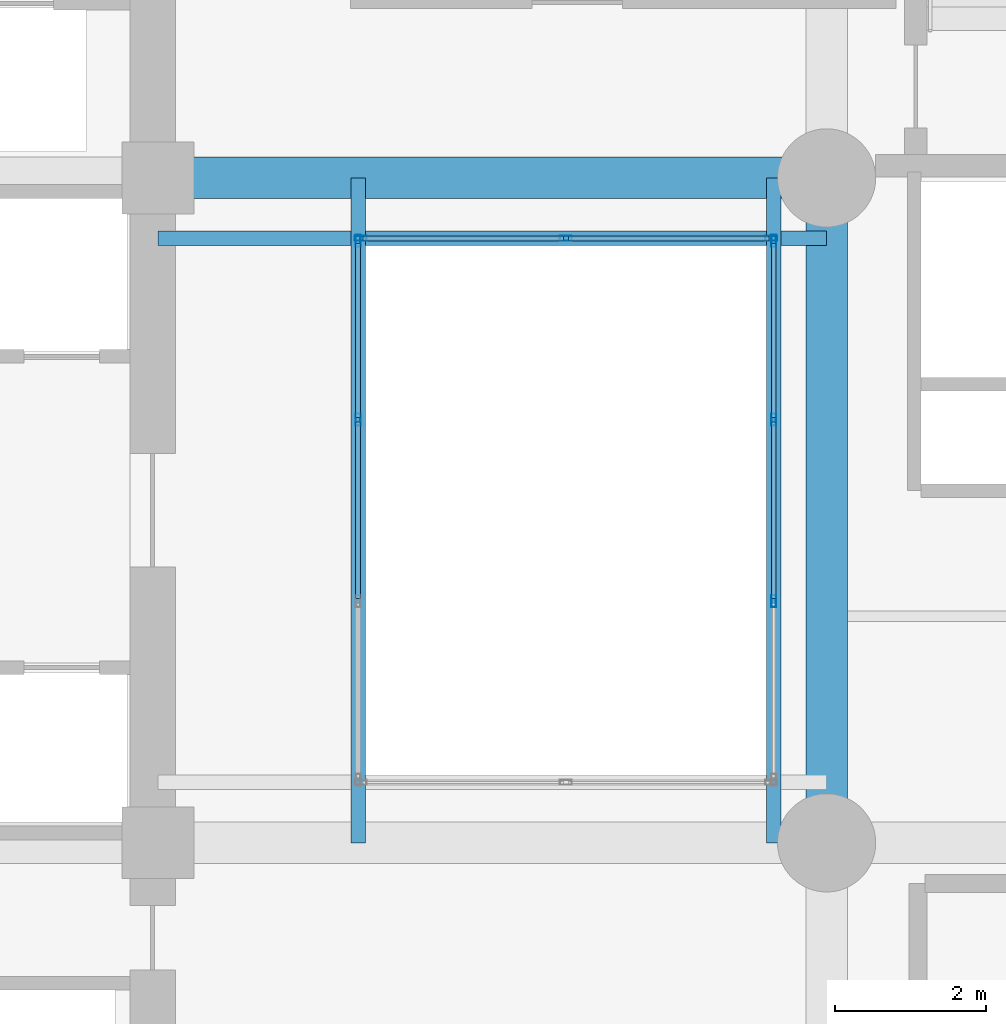
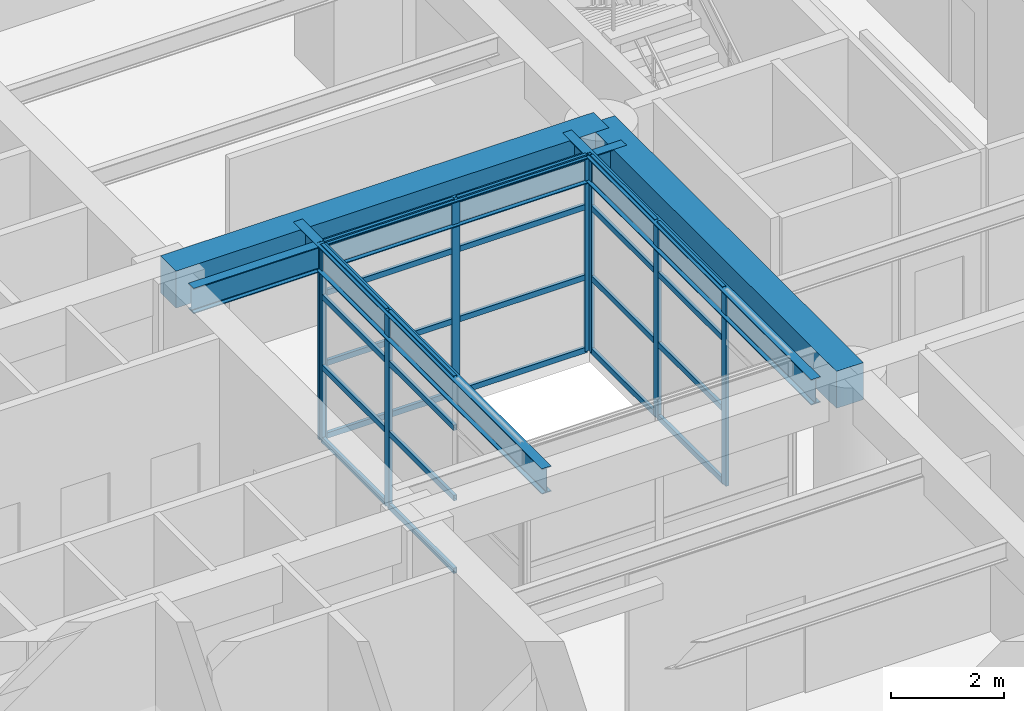
# One storey, part 4 of 10: 32 members, 5 beams, 3 elements without a shape of their own.
"""IFC4 building model written with IfcOpenShell, lengths in metres."""

from ifc_helpers import new_model, si_unit, direction, frame, origin, origin_2d, place, context, subcontext, project, spatial, rectangle, hollow_rectangle, i_section, extrude, material, layer, layer_set, material_profile, profile_set, type_object, element, aggregate, save


model = new_model("IFC4")

# Units and contexts
model_context = context("Model", 3, precision=1e-05, world=origin(), true_north=direction((0.0, 1.0)))
body_context = subcontext(model_context, "Body", "Model", "MODEL_VIEW")
ifc_project = project(units=[si_unit("LENGTHUNIT", "METRE"), si_unit("AREAUNIT", "SQUARE_METRE"), si_unit("VOLUMEUNIT", "CUBIC_METRE"), si_unit("PLANEANGLEUNIT", "RADIAN"), si_unit("MASSUNIT", "GRAM", prefix="KILO")], contexts=[model_context])

# Site, building, storey
site_placement = place(None, origin())
site = spatial("IfcSite", under=ifc_project, at=site_placement, CompositionType="ELEMENT")
building_placement = place(site_placement, origin())
building = spatial("IfcBuilding", under=site, at=building_placement, Name="Kundavana Baori Tower", CompositionType="ELEMENT")
storey_placement = place(building_placement, frame((0.0, 0.0, 8.0)))
storey = spatial("IfcBuildingStorey", under=building, at=storey_placement, Name="L01", CompositionType="ELEMENT", Elevation=8.0)

# Beams
ifc_material_1 = material(Name="Concrete C50/60", Category="concrete")
ifc_material_profile_1 = material_profile(ifc_material_1, rectangle(XDim=0.550048828125, YDim=0.800048828125, at=origin_2d()), Name="RC BM 550x800")
ifc_profile_set_1 = profile_set([ifc_material_profile_1], Name="Concrete C50/60")
beam_type_1 = type_object("IfcBeamType", Name="BM-RC-800", PredefinedType="BEAM", material=ifc_profile_set_1)
beam_1_placement = place(storey_placement, frame((24.949951171875, 33.0, 3.820068359375), z_axis=(1.0, 0.0, 0.0), x_axis=(0.0, 1.0, 0.0)))
element("IfcBeam", 1, at=beam_1_placement, inside=storey, type_object=beam_type_1, Name="L01 Primary Grid Girder GX-3-2", PredefinedType="BEAM", context=body_context, shape_type="SweptSolid", body=[
    extrude(rectangle(XDim=0.550048828125, YDim=0.800048828125, at=origin_2d()), origin(), (0.0, 0.0, 1.0), 8.85009765625),
])
beam_2_placement = place(storey_placement, frame((33.800048828125, 24.199951171875, 3.820068359375), z_axis=(0.0, 1.0, 0.0), x_axis=(-1.0, 0.0, 0.0)))
element("IfcBeam", 2, at=beam_2_placement, inside=storey, type_object=beam_type_1, Name="L01 Primary Grid Girder GY-3-2", PredefinedType="BEAM", context=body_context, shape_type="SweptSolid", body=[
    extrude(rectangle(XDim=0.550048828125, YDim=0.800048828125, at=origin_2d()), origin(), (0.0, 0.0, 1.0), 8.800048828125),
])
ifc_material_2 = material(Name="Structural Steel S355JR", Category="steel")
ifc_material_profile_2 = material_profile(ifc_material_2, i_section(OverallWidth=0.18994140625, OverallDepth=0.550048828125, WebThickness=0.01123046875, FlangeThickness=0.019287109375, FilletRadius=0.01806640625, at=origin_2d()), Name="ISMB 550")
ifc_profile_set_2 = profile_set([ifc_material_profile_2], Name="Structural Steel S355JR")
beam_type_2 = type_object("IfcBeamType", Name="BM-ST-550", PredefinedType="BEAM", material=ifc_profile_set_2)
for number, where, z_axis, x_axis, name in (
    (3, (27.60009765625, 24.199951171875, 3.945068359375), (0.0, 1.0, 0.0), (-1.0, 0.0, 0.0), "L01 Atrium West Edge Beam"),
    (4, (33.10009765625, 24.199951171875, 3.945068359375), (0.0, 1.0, 0.0), (-1.0, 0.0, 0.0), "L01 Atrium East Edge Beam"),
):
    element("IfcBeam", number, at=place(storey_placement, frame(where, z_axis=z_axis, x_axis=x_axis)), inside=storey, type_object=beam_type_2, Name=name, PredefinedType="BEAM", context=body_context, shape_type="SweptSolid", body=[
        extrude(i_section(OverallWidth=0.18994140625, OverallDepth=0.550048828125, WebThickness=0.01123046875, FlangeThickness=0.019287109375, FilletRadius=0.01806640625, at=origin_2d()), origin(), (0.0, 0.0, 1.0), 8.800048828125),
    ])
beam_3_placement = place(storey_placement, frame((24.949951171875, 32.199951171875, 3.945068359375), z_axis=(1.0, 0.0, 0.0), x_axis=(0.0, 1.0, 0.0)))
element("IfcBeam", 5, at=beam_3_placement, inside=storey, type_object=beam_type_2, Name="L01 Atrium North Edge Beam", PredefinedType="BEAM", context=body_context, shape_type="SweptSolid", body=[
    extrude(i_section(OverallWidth=0.18994140625, OverallDepth=0.550048828125, WebThickness=0.01123046875, FlangeThickness=0.019287109375, FilletRadius=0.01806640625, at=origin_2d()), origin(), (0.0, 0.0, 1.0), 8.85009765625),
])

# Curtain wall, members
ifc_material_3 = material(Name="Thermally Broken Anodised Aluminium Framing", Category="aluminium")
ifc_layer = layer(ifc_material_3, 0.159912109375, Name="CW-SYS-1")
ifc_layer_set = layer_set([ifc_layer], Name="Thermally Broken Anodised Aluminium Framing")
curtain_wall_type = type_object("IfcCurtainWallType", Name="CW-SYS-1", PredefinedType="NOTDEFINED", material=ifc_layer_set)
curtain_wall_1_placement = place(storey_placement, origin())
curtain_wall_1 = element("IfcCurtainWall", 6, at=curtain_wall_1_placement, inside=storey, type_object=curtain_wall_type, Name="L01 Atrium Glazed Curtain Wall E", PredefinedType="NOTDEFINED")
ifc_material_4 = material(Name="Thermally Broken Anodised Aluminium Framing", Category="aluminium")
ifc_material_profile_3 = material_profile(ifc_material_4, hollow_rectangle(XDim=0.06494140625, YDim=0.159912109375, WallThickness=0.00390625, at=origin_2d()), Name="CW-MULL-160")
ifc_profile_set_3 = profile_set([ifc_material_profile_3], Name="Thermally Broken Anodised Aluminium Framing")
member_type_1 = type_object("IfcMemberType", Name="CW-MULL-160", PredefinedType="MULLION", material=ifc_profile_set_3)
member_1_placement = place(storey_placement, frame((33.10009765625, 27.39990234375, 0.0), z_axis=(0.0, 0.0, 1.0), x_axis=(-1.0, 0.0, 0.0)))
member_1 = element("IfcMember", 7, at=member_1_placement, type_object=member_type_1, Name="CW1 mullion 2", PredefinedType="MULLION", context=body_context, shape_type="SweptSolid", body=[
    extrude(hollow_rectangle(XDim=0.06494140625, YDim=0.159912109375, WallThickness=0.00390625, at=origin_2d()), origin(), (0.0, 0.0, 1.0), 4.219970703125),
])
member_2_placement = place(storey_placement, frame((33.10009765625, 29.800048828125, 0.0), z_axis=(0.0, 0.0, 1.0), x_axis=(-1.0, 0.0, 0.0)))
member_2 = element("IfcMember", 8, at=member_2_placement, type_object=member_type_1, Name="CW1 mullion 3", PredefinedType="MULLION", context=body_context, shape_type="SweptSolid", body=[
    extrude(hollow_rectangle(XDim=0.06494140625, YDim=0.159912109375, WallThickness=0.00390625, at=origin_2d()), origin(), (0.0, 0.0, 1.0), 4.219970703125),
])
member_3_placement = place(storey_placement, frame((33.10009765625, 32.16748046875, 0.0), z_axis=(0.0, 0.0, 1.0), x_axis=(-1.0, 0.0, 0.0)))
member_3 = element("IfcMember", 9, at=member_3_placement, type_object=member_type_1, Name="CW1 mullion 4", PredefinedType="MULLION", context=body_context, shape_type="SweptSolid", body=[
    extrude(hollow_rectangle(XDim=0.06494140625, YDim=0.159912109375, WallThickness=0.00390625, at=origin_2d()), origin(), (0.0, 0.0, 1.0), 4.219970703125),
])

curtain_wall_2_placement = place(storey_placement, origin())
curtain_wall_2 = element("IfcCurtainWall", 10, at=curtain_wall_2_placement, inside=storey, type_object=curtain_wall_type, Name="L01 Atrium Glazed Curtain Wall N", PredefinedType="NOTDEFINED")
member_4_placement = place(storey_placement, frame((33.0673828125, 32.199951171875, 0.0), z_axis=(0.0, 0.0, 1.0), x_axis=(0.0, -1.0, 0.0)))
member_4 = element("IfcMember", 11, at=member_4_placement, type_object=member_type_1, Name="CW1 mullion 1", PredefinedType="MULLION", context=body_context, shape_type="SweptSolid", body=[
    extrude(hollow_rectangle(XDim=0.06494140625, YDim=0.159912109375, WallThickness=0.00390625, at=origin_2d()), origin(), (0.0, 0.0, 1.0), 4.219970703125),
])
member_5_placement = place(storey_placement, frame((30.35009765625, 32.199951171875, 0.0), z_axis=(0.0, 0.0, 1.0), x_axis=(0.0, -1.0, 0.0)))
member_5 = element("IfcMember", 12, at=member_5_placement, type_object=member_type_1, Name="CW1 mullion 2", PredefinedType="MULLION", context=body_context, shape_type="SweptSolid", body=[
    extrude(hollow_rectangle(XDim=0.06494140625, YDim=0.159912109375, WallThickness=0.00390625, at=origin_2d()), origin(), (0.0, 0.0, 1.0), 4.219970703125),
])
member_6_placement = place(storey_placement, frame((27.632568359375, 32.199951171875, 0.0), z_axis=(0.0, 0.0, 1.0), x_axis=(0.0, -1.0, 0.0)))
member_6 = element("IfcMember", 13, at=member_6_placement, type_object=member_type_1, Name="CW1 mullion 3", PredefinedType="MULLION", context=body_context, shape_type="SweptSolid", body=[
    extrude(hollow_rectangle(XDim=0.06494140625, YDim=0.159912109375, WallThickness=0.00390625, at=origin_2d()), origin(), (0.0, 0.0, 1.0), 4.219970703125),
])

curtain_wall_3_placement = place(storey_placement, origin())
curtain_wall_3 = element("IfcCurtainWall", 14, at=curtain_wall_3_placement, inside=storey, type_object=curtain_wall_type, Name="L01 Atrium Glazed Curtain Wall W", PredefinedType="NOTDEFINED")
member_7_placement = place(storey_placement, frame((27.60009765625, 32.16748046875, 0.0), z_axis=(0.0, 0.0, 1.0), x_axis=(1.0, 0.0, 0.0)))
member_7 = element("IfcMember", 15, at=member_7_placement, type_object=member_type_1, Name="CW1 mullion 1", PredefinedType="MULLION", context=body_context, shape_type="SweptSolid", body=[
    extrude(hollow_rectangle(XDim=0.06494140625, YDim=0.159912109375, WallThickness=0.00390625, at=origin_2d()), origin(), (0.0, 0.0, 1.0), 4.219970703125),
])
member_8_placement = place(storey_placement, frame((27.60009765625, 29.800048828125, 0.0), z_axis=(0.0, 0.0, 1.0), x_axis=(1.0, 0.0, 0.0)))
member_8 = element("IfcMember", 16, at=member_8_placement, type_object=member_type_1, Name="CW1 mullion 2", PredefinedType="MULLION", context=body_context, shape_type="SweptSolid", body=[
    extrude(hollow_rectangle(XDim=0.06494140625, YDim=0.159912109375, WallThickness=0.00390625, at=origin_2d()), origin(), (0.0, 0.0, 1.0), 4.219970703125),
])

# Member
ifc_material_5 = material(Name="Thermally Broken Anodised Aluminium Framing", Category="aluminium")
ifc_material_profile_4 = material_profile(ifc_material_5, hollow_rectangle(XDim=0.06494140625, YDim=0.1201171875, WallThickness=0.00390625, at=origin_2d()), Name="CW-TRAN-120")
ifc_profile_set_4 = profile_set([ifc_material_profile_4], Name="Thermally Broken Anodised Aluminium Framing")
member_type_2 = type_object("IfcMemberType", Name="CW-TRAN-120", PredefinedType="USERDEFINED", material=ifc_profile_set_4)
member_9_placement = place(storey_placement, frame((33.10009765625, 27.4326171875, 0.032470703125), z_axis=(0.0, 1.0, 0.0), x_axis=(-1.0, 0.0, 0.0)))
member_9 = element("IfcMember", 17, at=member_9_placement, type_object=member_type_2, Name="CW1 transom 2.1", ObjectType="TRANSOM", PredefinedType="USERDEFINED", context=body_context, shape_type="SweptSolid", body=[
    extrude(hollow_rectangle(XDim=0.06494140625, YDim=0.1201171875, WallThickness=0.00390625, at=origin_2d()), origin(), (0.0, 0.0, 1.0), 2.3349609375),
])

member_10_placement = place(storey_placement, frame((33.10009765625, 27.4326171875, 1.603515625), z_axis=(0.0, 1.0, 0.0), x_axis=(-1.0, 0.0, 0.0)))
member_10 = element("IfcMember", 18, at=member_10_placement, type_object=member_type_2, Name="CW1 transom 2.2", ObjectType="TRANSOM", PredefinedType="USERDEFINED", context=body_context, shape_type="SweptSolid", body=[
    extrude(hollow_rectangle(XDim=0.06494140625, YDim=0.1201171875, WallThickness=0.00390625, at=origin_2d()), origin(), (0.0, 0.0, 1.0), 2.3349609375),
])

member_11_placement = place(storey_placement, frame((33.10009765625, 27.4326171875, 3.122802734375), z_axis=(0.0, 1.0, 0.0), x_axis=(-1.0, 0.0, 0.0)))
member_11 = element("IfcMember", 19, at=member_11_placement, type_object=member_type_2, Name="CW1 transom 2.3", ObjectType="TRANSOM", PredefinedType="USERDEFINED", context=body_context, shape_type="SweptSolid", body=[
    extrude(hollow_rectangle(XDim=0.06494140625, YDim=0.1201171875, WallThickness=0.00390625, at=origin_2d()), origin(), (0.0, 0.0, 1.0), 2.3349609375),
])

member_12_placement = place(storey_placement, frame((33.10009765625, 27.4326171875, 4.1875), z_axis=(0.0, 1.0, 0.0), x_axis=(-1.0, 0.0, 0.0)))
member_12 = element("IfcMember", 20, at=member_12_placement, type_object=member_type_2, Name="CW1 transom 2.4", ObjectType="TRANSOM", PredefinedType="USERDEFINED", context=body_context, shape_type="SweptSolid", body=[
    extrude(hollow_rectangle(XDim=0.06494140625, YDim=0.1201171875, WallThickness=0.00390625, at=origin_2d()), origin(), (0.0, 0.0, 1.0), 2.3349609375),
])

member_13_placement = place(storey_placement, frame((33.10009765625, 29.83251953125, 0.032470703125), z_axis=(0.0, 1.0, 0.0), x_axis=(-1.0, 0.0, 0.0)))
member_13 = element("IfcMember", 21, at=member_13_placement, type_object=member_type_2, Name="CW1 transom 3.1", ObjectType="TRANSOM", PredefinedType="USERDEFINED", context=body_context, shape_type="SweptSolid", body=[
    extrude(hollow_rectangle(XDim=0.06494140625, YDim=0.1201171875, WallThickness=0.00390625, at=origin_2d()), origin(), (0.0, 0.0, 1.0), 2.302490234375),
])

member_14_placement = place(storey_placement, frame((33.10009765625, 29.83251953125, 1.603515625), z_axis=(0.0, 1.0, 0.0), x_axis=(-1.0, 0.0, 0.0)))
member_14 = element("IfcMember", 22, at=member_14_placement, type_object=member_type_2, Name="CW1 transom 3.2", ObjectType="TRANSOM", PredefinedType="USERDEFINED", context=body_context, shape_type="SweptSolid", body=[
    extrude(hollow_rectangle(XDim=0.06494140625, YDim=0.1201171875, WallThickness=0.00390625, at=origin_2d()), origin(), (0.0, 0.0, 1.0), 2.302490234375),
])

member_15_placement = place(storey_placement, frame((33.10009765625, 29.83251953125, 3.122802734375), z_axis=(0.0, 1.0, 0.0), x_axis=(-1.0, 0.0, 0.0)))
member_15 = element("IfcMember", 23, at=member_15_placement, type_object=member_type_2, Name="CW1 transom 3.3", ObjectType="TRANSOM", PredefinedType="USERDEFINED", context=body_context, shape_type="SweptSolid", body=[
    extrude(hollow_rectangle(XDim=0.06494140625, YDim=0.1201171875, WallThickness=0.00390625, at=origin_2d()), origin(), (0.0, 0.0, 1.0), 2.302490234375),
])

member_16_placement = place(storey_placement, frame((33.10009765625, 29.83251953125, 4.1875), z_axis=(0.0, 1.0, 0.0), x_axis=(-1.0, 0.0, 0.0)))
member_16 = element("IfcMember", 24, at=member_16_placement, type_object=member_type_2, Name="CW1 transom 3.4", ObjectType="TRANSOM", PredefinedType="USERDEFINED", context=body_context, shape_type="SweptSolid", body=[
    extrude(hollow_rectangle(XDim=0.06494140625, YDim=0.1201171875, WallThickness=0.00390625, at=origin_2d()), origin(), (0.0, 0.0, 1.0), 2.302490234375),
])

aggregate(curtain_wall_1, [member_1, member_2, member_3, member_9, member_10, member_11, member_12, member_13, member_14, member_15, member_16])

member_17_placement = place(storey_placement, frame((33.034912109375, 32.199951171875, 0.032470703125), z_axis=(-1.0, 0.0, 0.0), x_axis=(0.0, -1.0, 0.0)))
member_17 = element("IfcMember", 25, at=member_17_placement, type_object=member_type_2, Name="CW1 transom 1.1", ObjectType="TRANSOM", PredefinedType="USERDEFINED", context=body_context, shape_type="SweptSolid", body=[
    extrude(hollow_rectangle(XDim=0.06494140625, YDim=0.1201171875, WallThickness=0.00390625, at=origin_2d()), origin(), (0.0, 0.0, 1.0), 2.65234375),
])

member_18_placement = place(storey_placement, frame((33.034912109375, 32.199951171875, 1.603515625), z_axis=(-1.0, 0.0, 0.0), x_axis=(0.0, -1.0, 0.0)))
member_18 = element("IfcMember", 26, at=member_18_placement, type_object=member_type_2, Name="CW1 transom 1.2", ObjectType="TRANSOM", PredefinedType="USERDEFINED", context=body_context, shape_type="SweptSolid", body=[
    extrude(hollow_rectangle(XDim=0.06494140625, YDim=0.1201171875, WallThickness=0.00390625, at=origin_2d()), origin(), (0.0, 0.0, 1.0), 2.65234375),
])

member_19_placement = place(storey_placement, frame((33.034912109375, 32.199951171875, 3.122802734375), z_axis=(-1.0, 0.0, 0.0), x_axis=(0.0, -1.0, 0.0)))
member_19 = element("IfcMember", 27, at=member_19_placement, type_object=member_type_2, Name="CW1 transom 1.3", ObjectType="TRANSOM", PredefinedType="USERDEFINED", context=body_context, shape_type="SweptSolid", body=[
    extrude(hollow_rectangle(XDim=0.06494140625, YDim=0.1201171875, WallThickness=0.00390625, at=origin_2d()), origin(), (0.0, 0.0, 1.0), 2.65234375),
])

member_20_placement = place(storey_placement, frame((33.034912109375, 32.199951171875, 4.1875), z_axis=(-1.0, 0.0, 0.0), x_axis=(0.0, -1.0, 0.0)))
member_20 = element("IfcMember", 28, at=member_20_placement, type_object=member_type_2, Name="CW1 transom 1.4", ObjectType="TRANSOM", PredefinedType="USERDEFINED", context=body_context, shape_type="SweptSolid", body=[
    extrude(hollow_rectangle(XDim=0.06494140625, YDim=0.1201171875, WallThickness=0.00390625, at=origin_2d()), origin(), (0.0, 0.0, 1.0), 2.65234375),
])

member_21_placement = place(storey_placement, frame((30.3173828125, 32.199951171875, 0.032470703125), z_axis=(-1.0, 0.0, 0.0), x_axis=(0.0, -1.0, 0.0)))
member_21 = element("IfcMember", 29, at=member_21_placement, type_object=member_type_2, Name="CW1 transom 2.1", ObjectType="TRANSOM", PredefinedType="USERDEFINED", context=body_context, shape_type="SweptSolid", body=[
    extrude(hollow_rectangle(XDim=0.06494140625, YDim=0.1201171875, WallThickness=0.00390625, at=origin_2d()), origin(), (0.0, 0.0, 1.0), 2.65234375),
])

member_22_placement = place(storey_placement, frame((30.3173828125, 32.199951171875, 1.603515625), z_axis=(-1.0, 0.0, 0.0), x_axis=(0.0, -1.0, 0.0)))
member_22 = element("IfcMember", 30, at=member_22_placement, type_object=member_type_2, Name="CW1 transom 2.2", ObjectType="TRANSOM", PredefinedType="USERDEFINED", context=body_context, shape_type="SweptSolid", body=[
    extrude(hollow_rectangle(XDim=0.06494140625, YDim=0.1201171875, WallThickness=0.00390625, at=origin_2d()), origin(), (0.0, 0.0, 1.0), 2.65234375),
])

member_23_placement = place(storey_placement, frame((30.3173828125, 32.199951171875, 3.122802734375), z_axis=(-1.0, 0.0, 0.0), x_axis=(0.0, -1.0, 0.0)))
member_23 = element("IfcMember", 31, at=member_23_placement, type_object=member_type_2, Name="CW1 transom 2.3", ObjectType="TRANSOM", PredefinedType="USERDEFINED", context=body_context, shape_type="SweptSolid", body=[
    extrude(hollow_rectangle(XDim=0.06494140625, YDim=0.1201171875, WallThickness=0.00390625, at=origin_2d()), origin(), (0.0, 0.0, 1.0), 2.65234375),
])

member_24_placement = place(storey_placement, frame((30.3173828125, 32.199951171875, 4.1875), z_axis=(-1.0, 0.0, 0.0), x_axis=(0.0, -1.0, 0.0)))
member_24 = element("IfcMember", 32, at=member_24_placement, type_object=member_type_2, Name="CW1 transom 2.4", ObjectType="TRANSOM", PredefinedType="USERDEFINED", context=body_context, shape_type="SweptSolid", body=[
    extrude(hollow_rectangle(XDim=0.06494140625, YDim=0.1201171875, WallThickness=0.00390625, at=origin_2d()), origin(), (0.0, 0.0, 1.0), 2.65234375),
])

aggregate(curtain_wall_2, [member_4, member_5, member_6, member_17, member_18, member_19, member_20, member_21, member_22, member_23, member_24])

member_25_placement = place(storey_placement, frame((27.60009765625, 32.135009765625, 0.032470703125), z_axis=(0.0, -1.0, 0.0), x_axis=(1.0, 0.0, 0.0)))
member_25 = element("IfcMember", 33, at=member_25_placement, type_object=member_type_2, Name="CW1 transom 1.1", ObjectType="TRANSOM", PredefinedType="USERDEFINED", context=body_context, shape_type="SweptSolid", body=[
    extrude(hollow_rectangle(XDim=0.06494140625, YDim=0.1201171875, WallThickness=0.00390625, at=origin_2d()), origin(), (0.0, 0.0, 1.0), 2.302490234375),
])

member_26_placement = place(storey_placement, frame((27.60009765625, 32.135009765625, 1.603515625), z_axis=(0.0, -1.0, 0.0), x_axis=(1.0, 0.0, 0.0)))
member_26 = element("IfcMember", 34, at=member_26_placement, type_object=member_type_2, Name="CW1 transom 1.2", ObjectType="TRANSOM", PredefinedType="USERDEFINED", context=body_context, shape_type="SweptSolid", body=[
    extrude(hollow_rectangle(XDim=0.06494140625, YDim=0.1201171875, WallThickness=0.00390625, at=origin_2d()), origin(), (0.0, 0.0, 1.0), 2.302490234375),
])

member_27_placement = place(storey_placement, frame((27.60009765625, 32.135009765625, 3.122802734375), z_axis=(0.0, -1.0, 0.0), x_axis=(1.0, 0.0, 0.0)))
member_27 = element("IfcMember", 35, at=member_27_placement, type_object=member_type_2, Name="CW1 transom 1.3", ObjectType="TRANSOM", PredefinedType="USERDEFINED", context=body_context, shape_type="SweptSolid", body=[
    extrude(hollow_rectangle(XDim=0.06494140625, YDim=0.1201171875, WallThickness=0.00390625, at=origin_2d()), origin(), (0.0, 0.0, 1.0), 2.302490234375),
])

member_28_placement = place(storey_placement, frame((27.60009765625, 32.135009765625, 4.1875), z_axis=(0.0, -1.0, 0.0), x_axis=(1.0, 0.0, 0.0)))
member_28 = element("IfcMember", 36, at=member_28_placement, type_object=member_type_2, Name="CW1 transom 1.4", ObjectType="TRANSOM", PredefinedType="USERDEFINED", context=body_context, shape_type="SweptSolid", body=[
    extrude(hollow_rectangle(XDim=0.06494140625, YDim=0.1201171875, WallThickness=0.00390625, at=origin_2d()), origin(), (0.0, 0.0, 1.0), 2.302490234375),
])

member_29_placement = place(storey_placement, frame((27.60009765625, 29.767578125, 0.032470703125), z_axis=(0.0, -1.0, 0.0), x_axis=(1.0, 0.0, 0.0)))
member_29 = element("IfcMember", 37, at=member_29_placement, type_object=member_type_2, Name="CW1 transom 2.1", ObjectType="TRANSOM", PredefinedType="USERDEFINED", context=body_context, shape_type="SweptSolid", body=[
    extrude(hollow_rectangle(XDim=0.06494140625, YDim=0.1201171875, WallThickness=0.00390625, at=origin_2d()), origin(), (0.0, 0.0, 1.0), 2.3349609375),
])

member_30_placement = place(storey_placement, frame((27.60009765625, 29.767578125, 1.603515625), z_axis=(0.0, -1.0, 0.0), x_axis=(1.0, 0.0, 0.0)))
member_30 = element("IfcMember", 38, at=member_30_placement, type_object=member_type_2, Name="CW1 transom 2.2", ObjectType="TRANSOM", PredefinedType="USERDEFINED", context=body_context, shape_type="SweptSolid", body=[
    extrude(hollow_rectangle(XDim=0.06494140625, YDim=0.1201171875, WallThickness=0.00390625, at=origin_2d()), origin(), (0.0, 0.0, 1.0), 2.3349609375),
])

member_31_placement = place(storey_placement, frame((27.60009765625, 29.767578125, 3.122802734375), z_axis=(0.0, -1.0, 0.0), x_axis=(1.0, 0.0, 0.0)))
member_31 = element("IfcMember", 39, at=member_31_placement, type_object=member_type_2, Name="CW1 transom 2.3", ObjectType="TRANSOM", PredefinedType="USERDEFINED", context=body_context, shape_type="SweptSolid", body=[
    extrude(hollow_rectangle(XDim=0.06494140625, YDim=0.1201171875, WallThickness=0.00390625, at=origin_2d()), origin(), (0.0, 0.0, 1.0), 2.3349609375),
])

member_32_placement = place(storey_placement, frame((27.60009765625, 29.767578125, 4.1875), z_axis=(0.0, -1.0, 0.0), x_axis=(1.0, 0.0, 0.0)))
member_32 = element("IfcMember", 40, at=member_32_placement, type_object=member_type_2, Name="CW1 transom 2.4", ObjectType="TRANSOM", PredefinedType="USERDEFINED", context=body_context, shape_type="SweptSolid", body=[
    extrude(hollow_rectangle(XDim=0.06494140625, YDim=0.1201171875, WallThickness=0.00390625, at=origin_2d()), origin(), (0.0, 0.0, 1.0), 2.3349609375),
])

aggregate(curtain_wall_3, [member_7, member_8, member_25, member_26, member_27, member_28, member_29, member_30, member_31, member_32])

save(model, "model.ifc")
